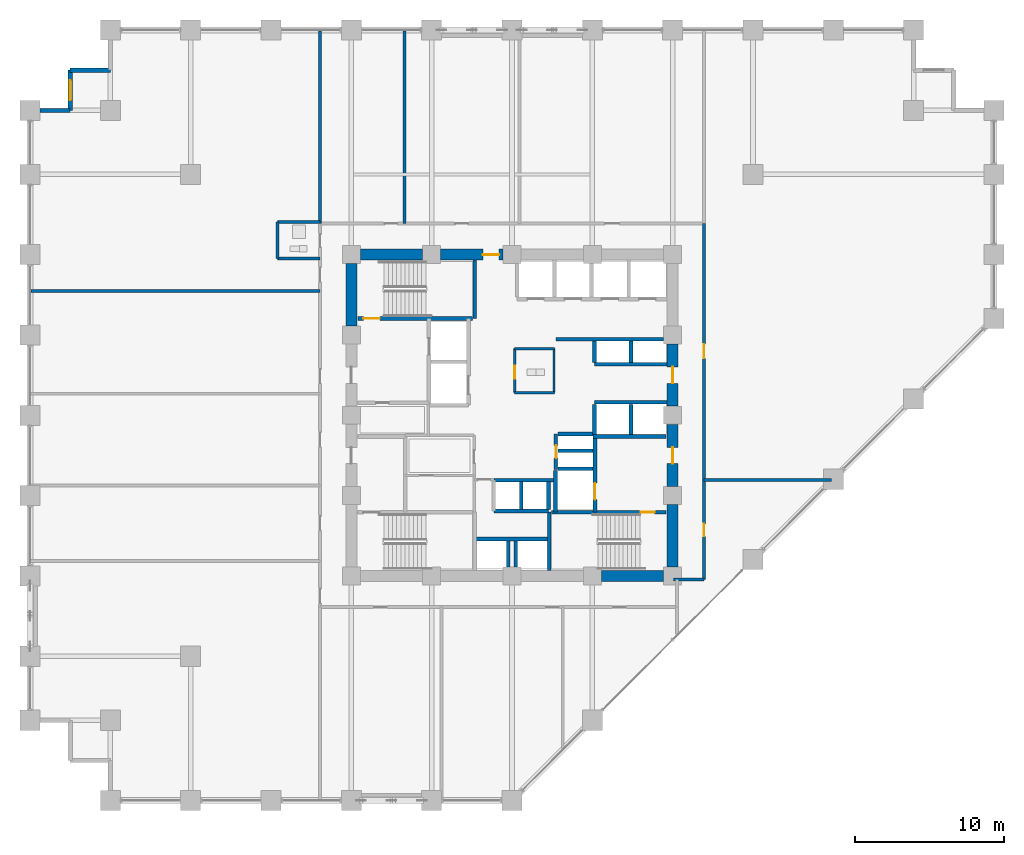
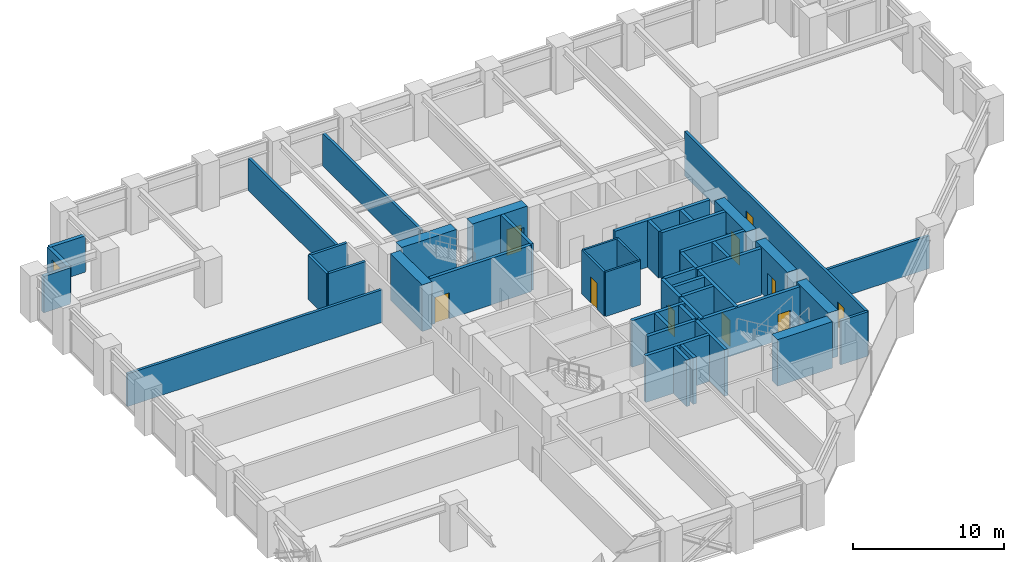
# One storey, part 21 of 24: 48 walls, 10 doors, 1 window, 11 openings.
"""IFC4 building model written with IfcOpenShell, lengths in metres."""

from ifc_helpers import new_model, si_unit, direction, frame, frame_2d, origin, place, context, subcontext, project, spatial, rectangle, extrude, material, layer, layer_set, type_object, element, fill, save


model = new_model("IFC4")

# Units and contexts
model_context = context("Model", 3, precision=1e-05, world=origin(), true_north=direction((0.0, 1.0)))
body_context = subcontext(model_context, "Body", "Model", "MODEL_VIEW")
ifc_project = project(units=[si_unit("LENGTHUNIT", "METRE"), si_unit("AREAUNIT", "SQUARE_METRE"), si_unit("VOLUMEUNIT", "CUBIC_METRE"), si_unit("PLANEANGLEUNIT", "RADIAN"), si_unit("MASSUNIT", "GRAM", prefix="KILO")], contexts=[model_context])

# Site, building, storey
site_placement = place(None, origin())
site = spatial("IfcSite", under=ifc_project, at=site_placement, CompositionType="ELEMENT")
building_placement = place(site_placement, origin())
building = spatial("IfcBuilding", under=site, at=building_placement, Name="Surkhivell Harbour Commons", CompositionType="ELEMENT")
storey_placement = place(building_placement, frame((0.0, 0.0, 26.25)))
storey = spatial("IfcBuildingStorey", under=building, at=storey_placement, Name="L06", CompositionType="ELEMENT", Elevation=26.25)

# Walls
ifc_material_1 = material(Name="Concrete C60/75", Category="concrete")
ifc_layer_1 = layer(ifc_material_1, 0.75)
ifc_layer_set_1 = layer_set([ifc_layer_1], Name="Concrete C60/75")
wall_type_1 = type_object("IfcWallType", Name="WAL-CORE-750", PredefinedType="SHEAR", material=ifc_layer_set_1)
for number, where, z_axis, x_axis, name in (
    (1, (-10.18994140625, 10.800048828125, 0.0), (0.0, 0.0, 1.0), (1.0, 0.0, 0.0), "L06 Core Shear Wall North 1"),
    (2, (10.800048828125, -10.18994140625, 0.0), (0.0, 0.0, 1.0), (0.0, 1.0, 0.0), "L06 Core Shear Wall East 1"),
):
    element("IfcWall", number, at=place(storey_placement, frame(where, z_axis=z_axis, x_axis=x_axis)), inside=storey, type_object=wall_type_1, Name=name, PredefinedType="SHEAR", context=body_context, shape_type="SweptSolid", body=[
        extrude(rectangle(XDim=4.179931640625, YDim=0.75, at=frame_2d((2.08984375, 0.0))), origin(), (0.0, 0.0, 1.0), 3.75),
    ])

# Wall, opening, door
wall_1_placement = place(storey_placement, frame((-4.7900390625, 10.800048828125, 0.0), z_axis=(0.0, 0.0, 1.0), x_axis=(1.0, 0.0, 0.0)))
wall_1 = element("IfcWall", 3, at=wall_1_placement, inside=storey, type_object=wall_type_1, Name="L06 Core Shear Wall North 2", PredefinedType="SHEAR", context=body_context, shape_type="SweptSolid", body=[
    extrude(rectangle(XDim=4.179931640625, YDim=0.75, at=frame_2d((2.08984375, 0.0))), origin(), (0.0, 0.0, 1.0), 3.75),
])
opening_1_placement = place(wall_1_placement, frame((2.830078125, 0.0, 0.0)))
opening_1 = element("IfcOpeningElement", 4, at=opening_1_placement, cuts=wall_1, Name="Opening ID-2", PredefinedType="OPENING", context=body_context, shape_type="SweptSolid", body=[
    extrude(rectangle(XDim=1.10009765625, YDim=2.10009765625, at=frame_2d((0.550048828125, 1.050048828125))), frame((0.0, 0.385009765625, 0.0), z_axis=(0.0, -1.0, 0.0), x_axis=(1.0, 0.0, 0.0)), (0.0, 0.0, 1.0), 0.77001953125),
])
ifc_material_2 = material(Name="Hardwood-veneered fire-rated door leaf", Category="wood")
door_type_1 = type_object("IfcDoorType", Name="DOR-FD60-1100", OperationType="NOTDEFINED", PredefinedType="DOOR", material=ifc_material_2)
door_1_placement = place(opening_1_placement, origin())
door_1 = element("IfcDoor", 5, at=door_1_placement, inside=storey, type_object=door_type_1, Name="L06 Central Core Lift Hall North Corridor Door", OperationType="SINGLE_SWING_LEFT", OverallHeight=2.10009765625, OverallWidth=1.10009765625, PredefinedType="DOOR", context=body_context, shape_type="SweptSolid", body=[
    extrude(rectangle(XDim=1.10009765625, YDim=2.10009765625, at=frame_2d((0.550048828125, 1.050048828125))), frame((0.0, 0.02490234375, 0.0), z_axis=(0.0, -1.0, 0.0), x_axis=(1.0, 0.0, 0.0)), (0.0, 0.0, 1.0), 0.050048828125),
])
fill(opening_1, door_1)

wall_2_placement = place(storey_placement, frame((10.800048828125, -4.7900390625, 0.0), z_axis=(0.0, 0.0, 1.0), x_axis=(0.0, 1.0, 0.0)))
wall_2 = element("IfcWall", 6, at=wall_2_placement, inside=storey, type_object=wall_type_1, Name="L06 Core Shear Wall East 2", PredefinedType="SHEAR", context=body_context, shape_type="SweptSolid", body=[
    extrude(rectangle(XDim=4.179931640625, YDim=0.75, at=frame_2d((2.08984375, 0.0))), origin(), (0.0, 0.0, 1.0), 3.75),
])
opening_2_placement = place(wall_2_placement, frame((1.5400390625, 0.0, 0.0)))
opening_2 = element("IfcOpeningElement", 7, at=opening_2_placement, cuts=wall_2, Name="Opening ID-1", PredefinedType="OPENING", context=body_context, shape_type="SweptSolid", body=[
    extrude(rectangle(XDim=1.10009765625, YDim=2.10009765625, at=frame_2d((0.550048828125, 1.050048828125))), frame((0.0, 0.385009765625, 0.0), z_axis=(0.0, -1.0, 0.0), x_axis=(1.0, 0.0, 0.0)), (0.0, 0.0, 1.0), 0.77001953125),
])
door_type_2 = type_object("IfcDoorType", Name="DOR-FD120-1100", OperationType="NOTDEFINED", PredefinedType="DOOR", material=ifc_material_2)
door_2_placement = place(opening_2_placement, origin())
door_2 = element("IfcDoor", 8, at=door_2_placement, inside=storey, type_object=door_type_2, Name="L06 Firefighting Lobby 2 Corridor Door", OperationType="SINGLE_SWING_RIGHT", OverallHeight=2.10009765625, OverallWidth=1.10009765625, PredefinedType="DOOR", context=body_context, shape_type="SweptSolid", body=[
    extrude(rectangle(XDim=1.10009765625, YDim=2.10009765625, at=frame_2d((0.550048828125, 1.050048828125))), frame((0.0, 0.02490234375, 0.0), z_axis=(0.0, -1.0, 0.0), x_axis=(1.0, 0.0, 0.0)), (0.0, 0.0, 1.0), 0.050048828125),
])
fill(opening_2, door_2)

wall_3_placement = place(storey_placement, frame((10.800048828125, 0.610107421875, 0.0), z_axis=(0.0, 0.0, 1.0), x_axis=(0.0, 1.0, 0.0)))
wall_3 = element("IfcWall", 9, at=wall_3_placement, inside=storey, type_object=wall_type_1, Name="L06 Core Shear Wall East 3", PredefinedType="SHEAR", context=body_context, shape_type="SweptSolid", body=[
    extrude(rectangle(XDim=4.179931640625, YDim=0.75, at=frame_2d((2.08984375, 0.0))), origin(), (0.0, 0.0, 1.0), 3.75),
])
opening_3_placement = place(wall_3_placement, frame((1.5400390625, 0.0, 0.0)))
opening_3 = element("IfcOpeningElement", 10, at=opening_3_placement, cuts=wall_3, Name="Opening ID-2", PredefinedType="OPENING", context=body_context, shape_type="SweptSolid", body=[
    extrude(rectangle(XDim=1.10009765625, YDim=2.10009765625, at=frame_2d((0.550048828125, 1.050048828125))), frame((0.0, 0.385009765625, 0.0), z_axis=(0.0, -1.0, 0.0), x_axis=(1.0, 0.0, 0.0)), (0.0, 0.0, 1.0), 0.77001953125),
])
door_3_placement = place(opening_3_placement, origin())
door_3 = element("IfcDoor", 11, at=door_3_placement, inside=storey, type_object=door_type_1, Name="L06 Mid-Rise Lobby East Door", OperationType="SINGLE_SWING_LEFT", OverallHeight=2.10009765625, OverallWidth=1.10009765625, PredefinedType="DOOR", context=body_context, shape_type="SweptSolid", body=[
    extrude(rectangle(XDim=1.10009765625, YDim=2.10009765625, at=frame_2d((0.550048828125, 1.050048828125))), frame((0.0, 0.02490234375, 0.0), z_axis=(0.0, -1.0, 0.0), x_axis=(1.0, 0.0, 0.0)), (0.0, 0.0, 1.0), 0.050048828125),
])
fill(opening_3, door_3)

# Walls
for number, where, z_axis, x_axis, name in (
    (12, (6.010009765625, -10.800048828125, 0.0), (0.0, 0.0, 1.0), (1.0, 0.0, 0.0), "L06 Core Shear Wall South 4"),
    (13, (-10.800048828125, 6.010009765625, 0.0), (0.0, 0.0, 1.0), (0.0, 1.0, 0.0), "L06 Core Shear Wall West 4"),
):
    element("IfcWall", number, at=place(storey_placement, frame(where, z_axis=z_axis, x_axis=x_axis)), inside=storey, type_object=wall_type_1, Name=name, PredefinedType="SHEAR", context=body_context, shape_type="SweptSolid", body=[
        extrude(rectangle(XDim=4.179931640625, YDim=0.75, at=frame_2d((2.08984375, 0.0))), origin(), (0.0, 0.0, 1.0), 3.75),
    ])
ifc_material_3 = material(Name="Terracotta-clad reinforced concrete C45/55", Category="masonry")
ifc_layer_2 = layer(ifc_material_3, 0.280029296875)
ifc_layer_set_2 = layer_set([ifc_layer_2], Name="Terracotta-clad reinforced concrete C45/55")
wall_type_2 = type_object("IfcWallType", Name="WAL-EXT-TER280", PredefinedType="STANDARD", material=ifc_layer_set_2)
wall_4_placement = place(storey_placement, frame((-27.0, 23.199951171875, 0.0), z_axis=(0.0, 0.0, 1.0), x_axis=(-1.0, 0.0, 0.0)))
element("IfcWall", 14, at=wall_4_placement, inside=storey, type_object=wall_type_2, Name="L06 Serrated Corner Facade Wall 09", PredefinedType="STANDARD", context=body_context, shape_type="SweptSolid", body=[
    extrude(rectangle(XDim=2.699951171875, YDim=0.280029296875, at=frame_2d((1.35009765625, 0.0))), origin(), (0.0, 0.0, 1.0), 2.929931640625),
])

# Wall, opening, window
wall_5_placement = place(storey_placement, frame((-29.699951171875, 23.199951171875, 0.0), z_axis=(0.0, 0.0, 1.0), x_axis=(0.0, -1.0, 0.0)))
wall_5 = element("IfcWall", 15, at=wall_5_placement, inside=storey, type_object=wall_type_2, Name="L06 Serrated Corner Facade Wall 10", PredefinedType="STANDARD", context=body_context, shape_type="SweptSolid", body=[
    extrude(rectangle(XDim=2.699951171875, YDim=0.280029296875, at=frame_2d((1.35009765625, 0.0))), origin(), (0.0, 0.0, 1.0), 2.929931640625),
])
opening_4_placement = place(wall_5_placement, frame((0.675048828125, 0.0, 0.64990234375)))
opening_4 = element("IfcOpeningElement", 16, at=opening_4_placement, cuts=wall_5, Name="Opening WN-08", PredefinedType="OPENING", context=body_context, shape_type="SweptSolid", body=[
    extrude(rectangle(XDim=1.35009765625, YDim=1.64990234375, at=frame_2d((0.675048828125, 0.824951171875))), frame((0.0, 0.14990234375, 0.0), z_axis=(0.0, -1.0, 0.0), x_axis=(1.0, 0.0, 0.0)), (0.0, 0.0, 1.0), 0.300048828125),
])
ifc_material_4 = material(Name="Thermal-break aluminium frame and double low-E glazing", Category="aluminium")
window_type = type_object("IfcWindowType", Name="WIN-SER-1350x1650", PartitioningType="SINGLE_PANEL", PredefinedType="WINDOW", material=ifc_material_4)
window_placement = place(opening_4_placement, origin())
window = element("IfcWindow", 17, at=window_placement, inside=storey, type_object=window_type, Name="L06 Serrated Alcove Window 10", OverallHeight=1.64990234375, OverallWidth=1.35009765625, PartitioningType="SINGLE_PANEL", PredefinedType="WINDOW", context=body_context, shape_type="SweptSolid", body=[
    extrude(rectangle(XDim=1.35009765625, YDim=1.64990234375, at=frame_2d((0.675048828125, 0.824951171875))), frame((0.0, 0.030029296875, 0.0), z_axis=(0.0, -1.0, 0.0), x_axis=(1.0, 0.0, 0.0)), (0.0, 0.0, 1.0), 0.06005859375),
])
fill(opening_4, window)

# Walls
wall_6_placement = place(storey_placement, frame((-29.699951171875, 20.5, 0.0), z_axis=(0.0, 0.0, 1.0), x_axis=(-1.0, 0.0, 0.0)))
element("IfcWall", 18, at=wall_6_placement, inside=storey, type_object=wall_type_2, Name="L06 Serrated Corner Facade Wall 11", PredefinedType="STANDARD", context=body_context, shape_type="SweptSolid", body=[
    extrude(rectangle(XDim=2.027099609375, YDim=0.280029296875, at=frame_2d((1.013671875, 0.0))), origin(), (0.0, 0.0, 1.0), 2.929931640625),
])
ifc_material_5 = material(Name="Twin-stud acoustic fireboard partition", Category="other")
ifc_layer_3 = layer(ifc_material_5, 0.14990234375)
ifc_layer_set_3 = layer_set([ifc_layer_3], Name="Twin-stud acoustic fireboard partition")
wall_type_3 = type_object("IfcWallType", Name="WAL-INT-150", PredefinedType="PARTITIONING", material=ifc_layer_set_3)
wall_7_placement = place(storey_placement, frame((2.820068359375, 1.52001953125, 0.0), z_axis=(0.0, 0.0, 1.0), x_axis=(0.0, 1.0, 0.0)))
element("IfcWall", 19, at=wall_7_placement, inside=storey, type_object=wall_type_3, Name="L06 Core Accessible WC East Wall", PredefinedType="PARTITIONING", context=body_context, shape_type="SweptSolid", body=[
    extrude(rectangle(XDim=2.9599609375, YDim=0.14990234375, at=frame_2d((1.47998046875, 0.0))), origin(), (0.0, 0.0, 1.0), 3.570068359375),
])
for number, where, z_axis, x_axis, name in (
    (20, (0.179931640625, 4.47998046875, 0.0), (0.0, 0.0, 1.0), (1.0, 0.0, 0.0), "L06 Core Accessible WC North Wall"),
    (21, (0.179931640625, 1.52001953125, 0.0), (0.0, 0.0, 1.0), (1.0, 0.0, 0.0), "L06 Core Accessible WC South Wall"),
):
    element("IfcWall", number, at=place(storey_placement, frame(where, z_axis=z_axis, x_axis=x_axis)), inside=storey, type_object=wall_type_3, Name=name, PredefinedType="PARTITIONING", context=body_context, shape_type="SweptSolid", body=[
        extrude(rectangle(XDim=2.670166015625, YDim=0.14990234375, at=frame_2d((1.3349609375, 0.0))), origin(), (0.0, 0.0, 1.0), 3.570068359375),
    ])

# Wall, opening, door
wall_8_placement = place(storey_placement, frame((0.179931640625, 1.52001953125, 0.0), z_axis=(0.0, 0.0, 1.0), x_axis=(0.0, 1.0, 0.0)))
wall_8 = element("IfcWall", 22, at=wall_8_placement, inside=storey, type_object=wall_type_3, Name="L06 Core Accessible WC West Wall", PredefinedType="PARTITIONING", context=body_context, shape_type="SweptSolid", body=[
    extrude(rectangle(XDim=2.9599609375, YDim=0.14990234375, at=frame_2d((1.47998046875, 0.0))), origin(), (0.0, 0.0, 1.0), 3.570068359375),
])
opening_5_placement = place(wall_8_placement, frame((0.949951171875, 0.0, 0.0)))
opening_5 = element("IfcOpeningElement", 23, at=opening_5_placement, cuts=wall_8, Name="Opening ID-6", PredefinedType="OPENING", context=body_context, shape_type="SweptSolid", body=[
    extrude(rectangle(XDim=0.85009765625, YDim=2.10009765625, at=frame_2d((0.425048828125, 1.050048828125))), frame((0.0, 0.0849609375, 0.0), z_axis=(0.0, -1.0, 0.0), x_axis=(1.0, 0.0, 0.0)), (0.0, 0.0, 1.0), 0.169921875),
])
door_type_3 = type_object("IfcDoorType", Name="DOR-FD30-850", OperationType="NOTDEFINED", PredefinedType="DOOR", material=ifc_material_2)
door_4_placement = place(opening_5_placement, origin())
door_4 = element("IfcDoor", 24, at=door_4_placement, inside=storey, type_object=door_type_3, Name="L06 Floor Accessible WC Door", OperationType="SINGLE_SWING_RIGHT", OverallHeight=2.10009765625, OverallWidth=0.85009765625, PredefinedType="DOOR", context=body_context, shape_type="SweptSolid", body=[
    extrude(rectangle(XDim=0.85009765625, YDim=2.10009765625, at=frame_2d((0.425048828125, 1.050048828125))), frame((0.0, 0.02490234375, 0.0), z_axis=(0.0, -1.0, 0.0), x_axis=(1.0, 0.0, 0.0)), (0.0, 0.0, 1.0), 0.050048828125),
])
fill(opening_5, door_4)

# Wall
ifc_material_6 = material(Name="Autoclaved aerated concrete blockwork and fire plaster", Category="masonry")
ifc_layer_4 = layer(ifc_material_6, 0.199951171875)
ifc_layer_set_4 = layer_set([ifc_layer_4], Name="Autoclaved aerated concrete blockwork and fire plaster")
wall_type_4 = type_object("IfcWallType", Name="WAL-INT-200", PredefinedType="PARTITIONING", material=ifc_layer_set_4)
wall_9_placement = place(storey_placement, frame((-12.89990234375, 12.89990234375, 0.0), z_axis=(0.0, 0.0, 1.0), x_axis=(0.0, 1.0, 0.0)))
element("IfcWall", 25, at=wall_9_placement, inside=storey, type_object=wall_type_4, Name="L06 North-West Wing Corner Divider", PredefinedType="PARTITIONING", context=body_context, shape_type="SweptSolid", body=[
    extrude(rectangle(XDim=12.940185546875, YDim=0.199951171875, at=frame_2d((6.47021484375, 0.0))), origin(), (0.0, 0.0, 1.0), 2.62890625),
])

# Wall, openings, doors
wall_10_placement = place(storey_placement, frame((12.89990234375, -11.0400390625, 0.0), z_axis=(0.0, 0.0, 1.0), x_axis=(0.0, 1.0, 0.0)))
wall_10 = element("IfcWall", 26, at=wall_10_placement, inside=storey, type_object=wall_type_4, Name="L06 Corridor East Wall", PredefinedType="PARTITIONING", context=body_context, shape_type="SweptSolid", body=[
    extrude(rectangle(XDim=23.93994140625, YDim=0.199951171875, at=frame_2d((11.969970703125, 0.0))), origin(), (0.0, 0.0, 1.0), 3.570068359375),
])
opening_6_placement = place(wall_10_placement, frame((2.89990234375, 0.0, 0.0)))
opening_6 = element("IfcOpeningElement", 27, at=opening_6_placement, cuts=wall_10, Name="Opening ID-6", PredefinedType="OPENING", context=body_context, shape_type="SweptSolid", body=[
    extrude(rectangle(XDim=0.85009765625, YDim=2.10009765625, at=frame_2d((0.425048828125, 1.050048828125))), frame((0.0, 0.10986328125, 0.0), z_axis=(0.0, -1.0, 0.0), x_axis=(1.0, 0.0, 0.0)), (0.0, 0.0, 1.0), 0.219970703125),
])
opening_7_placement = place(wall_10_placement, frame((14.8701171875, 0.0, 0.0)))
opening_7 = element("IfcOpeningElement", 28, at=opening_7_placement, cuts=wall_10, Name="Opening ID-4", PredefinedType="OPENING", context=body_context, shape_type="SweptSolid", body=[
    extrude(rectangle(XDim=0.949951171875, YDim=2.10009765625, at=frame_2d((0.47509765625, 1.050048828125))), frame((0.0, 0.10986328125, 0.0), z_axis=(0.0, -1.0, 0.0), x_axis=(1.0, 0.0, 0.0)), (0.0, 0.0, 1.0), 0.219970703125),
])
door_5_placement = place(opening_6_placement, origin())
door_5 = element("IfcDoor", 29, at=door_5_placement, inside=storey, type_object=door_type_3, Name="L06 Shared Communal Kitchen A East Door", OperationType="SINGLE_SWING_LEFT", OverallHeight=2.10009765625, OverallWidth=0.85009765625, PredefinedType="DOOR", context=body_context, shape_type="SweptSolid", body=[
    extrude(rectangle(XDim=0.85009765625, YDim=2.10009765625, at=frame_2d((0.425048828125, 1.050048828125))), frame((0.0, 0.02490234375, 0.0), z_axis=(0.0, -1.0, 0.0), x_axis=(1.0, 0.0, 0.0)), (0.0, 0.0, 1.0), 0.050048828125),
])
fill(opening_6, door_5)
door_type_4 = type_object("IfcDoorType", Name="DOR-FD60-950", OperationType="NOTDEFINED", PredefinedType="DOOR", material=ifc_material_2)
door_6_placement = place(opening_7_placement, origin())
door_6 = element("IfcDoor", 30, at=door_6_placement, inside=storey, type_object=door_type_4, Name="L06 Shared Communal Kitchen B East Door", OperationType="SINGLE_SWING_RIGHT", OverallHeight=2.10009765625, OverallWidth=0.949951171875, PredefinedType="DOOR", context=body_context, shape_type="SweptSolid", body=[
    extrude(rectangle(XDim=0.949951171875, YDim=2.10009765625, at=frame_2d((0.47509765625, 1.050048828125))), frame((0.0, 0.02490234375, 0.0), z_axis=(0.0, -1.0, 0.0), x_axis=(1.0, 0.0, 0.0)), (0.0, 0.0, 1.0), 0.050048828125),
])
fill(opening_7, door_6)

# Walls
wall_11_placement = place(storey_placement, frame((10.85009765625, -11.0400390625, 0.0), z_axis=(0.0, 0.0, 1.0), x_axis=(1.0, 0.0, 0.0)))
element("IfcWall", 31, at=wall_11_placement, inside=storey, type_object=wall_type_4, Name="L06 Corridor East South Closure Wall", PredefinedType="PARTITIONING", context=body_context, shape_type="SweptSolid", body=[
    extrude(rectangle(XDim=2.0498046875, YDim=0.199951171875, at=frame_2d((1.02490234375, 0.0))), origin(), (0.0, 0.0, 1.0), 3.570068359375),
])
wall_12_placement = place(storey_placement, frame((12.89990234375, -4.340087890625, 0.0), z_axis=(0.0, 0.0, 1.0), x_axis=(1.0, 0.0, 0.0)))
element("IfcWall", 32, at=wall_12_placement, inside=storey, type_object=wall_type_4, Name="L06 East Partition P1", PredefinedType="PARTITIONING", context=body_context, shape_type="SweptSolid", body=[
    extrude(rectangle(XDim=8.5751953125, YDim=0.199951171875, at=frame_2d((4.28759765625, 0.0))), origin(), (0.0, 0.0, 1.0), 2.62890625),
])
wall_13_placement = place(storey_placement, frame((-7.219970703125, 12.89990234375, 0.0), z_axis=(0.0, 0.0, 1.0), x_axis=(0.0, 1.0, 0.0)))
element("IfcWall", 33, at=wall_13_placement, inside=storey, type_object=wall_type_4, Name="L06 North Partition P1", PredefinedType="PARTITIONING", context=body_context, shape_type="SweptSolid", body=[
    extrude(rectangle(XDim=12.940185546875, YDim=0.199951171875, at=frame_2d((6.47021484375, 0.0))), origin(), (0.0, 0.0, 1.0), 2.62890625),
])
wall_14_placement = place(storey_placement, frame((-15.75, 10.550048828125, 0.0), z_axis=(0.0, 0.0, 1.0), x_axis=(0.0, 1.0, 0.0)))
element("IfcWall", 34, at=wall_14_placement, inside=storey, type_object=wall_type_4, Name="L06 West Partition BTHB", PredefinedType="PARTITIONING", context=body_context, shape_type="SweptSolid", body=[
    extrude(rectangle(XDim=2.449951171875, YDim=0.199951171875, at=frame_2d((1.22509765625, 0.0))), origin(), (0.0, 0.0, 1.0), 3.570068359375),
])
for number, where, z_axis, x_axis, name in (
    (35, (-15.75, 13.0, 0.0), (0.0, 0.0, 1.0), (1.0, 0.0, 0.0), "L06 West Partition BTHN"),
    (36, (-15.75, 10.550048828125, 0.0), (0.0, 0.0, 1.0), (1.0, 0.0, 0.0), "L06 West Partition BTHS"),
):
    element("IfcWall", number, at=place(storey_placement, frame(where, z_axis=z_axis, x_axis=x_axis)), inside=storey, type_object=wall_type_4, Name=name, PredefinedType="PARTITIONING", context=body_context, shape_type="SweptSolid", body=[
        extrude(rectangle(XDim=2.85009765625, YDim=0.199951171875, at=frame_2d((1.425048828125, 0.0))), origin(), (0.0, 0.0, 1.0), 3.570068359375),
    ])
wall_15_placement = place(storey_placement, frame((-32.340087890625, 8.35009765625, 0.0), z_axis=(0.0, 0.0, 1.0), x_axis=(1.0, 0.0, 0.0)))
element("IfcWall", 37, at=wall_15_placement, inside=storey, type_object=wall_type_4, Name="L06 West Partition PTOP", PredefinedType="PARTITIONING", context=body_context, shape_type="SweptSolid", body=[
    extrude(rectangle(XDim=19.440185546875, YDim=0.199951171875, at=frame_2d((9.72021484375, 0.0))), origin(), (0.0, 0.0, 1.0), 2.62890625),
])
ifc_material_7 = material(Name="Concrete C50/60", Category="concrete")
ifc_layer_5 = layer(ifc_material_7, 0.25)
ifc_layer_set_5 = layer_set([ifc_layer_5], Name="Concrete C50/60")
wall_type_5 = type_object("IfcWallType", Name="WAL-SHAFT-250", PredefinedType="SHEAR", material=ifc_layer_set_5)
wall_16_placement = place(storey_placement, frame((2.929931640625, -6.510009765625, 0.0), z_axis=(0.0, 0.0, 1.0), x_axis=(0.0, 1.0, 0.0)))
element("IfcWall", 38, at=wall_16_placement, inside=storey, type_object=wall_type_5, Name="L06 FFL2 West Shaft Wall", PredefinedType="SHEAR", context=body_context, shape_type="SweptSolid", body=[
    extrude(rectangle(XDim=2.7900390625, YDim=0.25, at=frame_2d((1.39501953125, 0.0))), origin(), (0.0, 0.0, 1.0), 3.75),
])
wall_17_placement = place(storey_placement, frame((5.43994140625, -1.419921875, 0.0), z_axis=(0.0, 0.0, 1.0), x_axis=(1.0, 0.0, 0.0)))
element("IfcWall", 39, at=wall_17_placement, inside=storey, type_object=wall_type_5, Name="L06 Firefighting Lobby 2 North Wall", PredefinedType="SHEAR", context=body_context, shape_type="SweptSolid", body=[
    extrude(rectangle(XDim=4.900146484375, YDim=0.25, at=frame_2d((2.4501953125, 0.0))), origin(), (0.0, 0.0, 1.0), 3.75),
])
wall_18_placement = place(storey_placement, frame((3.080078125, -3.60009765625, 0.0), z_axis=(0.0, 0.0, 1.0), x_axis=(1.0, 0.0, 0.0)))
element("IfcWall", 40, at=wall_18_placement, inside=storey, type_object=wall_type_5, Name="L06 FFL2 North Shaft Wall", PredefinedType="SHEAR", context=body_context, shape_type="SweptSolid", body=[
    extrude(rectangle(XDim=2.369873046875, YDim=0.25, at=frame_2d((1.18505859375, 0.0))), origin(), (0.0, 0.0, 1.0), 3.75),
])

# Wall, opening, door
wall_19_placement = place(storey_placement, frame((5.580078125, -6.510009765625, 0.0), z_axis=(0.0, 0.0, 1.0), x_axis=(0.0, 1.0, 0.0)))
wall_19 = element("IfcWall", 41, at=wall_19_placement, inside=storey, type_object=wall_type_5, Name="L06 Firefighting Lobby 2 West Shaft Wall", PredefinedType="SHEAR", context=body_context, shape_type="SweptSolid", body=[
    extrude(rectangle(XDim=5.090087890625, YDim=0.25, at=frame_2d((2.544921875, 0.0))), origin(), (0.0, 0.0, 1.0), 3.75),
])
opening_8_placement = place(wall_19_placement, frame((0.85009765625, 0.0, 0.0)))
opening_8 = element("IfcOpeningElement", 42, at=opening_8_placement, cuts=wall_19, Name="Opening LD-1", PredefinedType="OPENING", context=body_context, shape_type="SweptSolid", body=[
    extrude(rectangle(XDim=1.10009765625, YDim=2.10009765625, at=frame_2d((0.550048828125, 1.050048828125))), frame((0.0, 0.135009765625, 0.0), z_axis=(0.0, -1.0, 0.0), x_axis=(1.0, 0.0, 0.0)), (0.0, 0.0, 1.0), 0.27001953125),
])
ifc_material_8 = material(Name="Brushed stainless steel S355", Category="steel")
door_type_5 = type_object("IfcDoorType", Name="DOR-LD-1100", OperationType="SLIDING_TO_LEFT", PredefinedType="DOOR", material=ifc_material_8)
door_7_placement = place(opening_8_placement, origin())
door_7 = element("IfcDoor", 43, at=door_7_placement, inside=storey, type_object=door_type_5, Name="L06 Lift Landing Door LD-FFL2", OperationType="SLIDING_TO_RIGHT", OverallHeight=2.10009765625, OverallWidth=1.10009765625, PredefinedType="DOOR", context=body_context, shape_type="SweptSolid", body=[
    extrude(rectangle(XDim=1.10009765625, YDim=2.10009765625, at=frame_2d((0.550048828125, 1.050048828125))), frame((0.0, 0.02490234375, 0.0), z_axis=(0.0, -1.0, 0.0), x_axis=(1.0, 0.0, 0.0)), (0.0, 0.0, 1.0), 0.050048828125),
])
fill(opening_8, door_7)

# Walls
for number, where, z_axis, x_axis, name in (
    (44, (0.6201171875, -6.340087890625, 0.0), (0.0, 0.0, 1.0), (0.0, 1.0, 0.0), "L06 High-Rise Side Wall N"),
    (45, (2.449951171875, -6.340087890625, 0.0), (0.0, 0.0, 1.0), (0.0, 1.0, 0.0), "L06 High-Rise Side Wall N"),
):
    element("IfcWall", number, at=place(storey_placement, frame(where, z_axis=z_axis, x_axis=x_axis)), inside=storey, type_object=wall_type_5, Name=name, PredefinedType="SHEAR", context=body_context, shape_type="SweptSolid", body=[
        extrude(rectangle(XDim=1.880126953125, YDim=0.25, at=frame_2d((0.93994140625, 0.0))), origin(), (0.0, 0.0, 1.0), 3.75),
    ])
for number, where, z_axis, x_axis, name in (
    (46, (-0.25, -10.199951171875, 0.0), (0.0, 0.0, 1.0), (0.0, 1.0, 0.0), "L06 High-Rise Side Wall S"),
    (47, (0.25, -10.199951171875, 0.0), (0.0, 0.0, 1.0), (0.0, 1.0, 0.0), "L06 High-Rise Side Wall S"),
):
    element("IfcWall", number, at=place(storey_placement, frame(where, z_axis=z_axis, x_axis=x_axis)), inside=storey, type_object=wall_type_5, Name=name, PredefinedType="SHEAR", context=body_context, shape_type="SweptSolid", body=[
        extrude(rectangle(XDim=1.760009765625, YDim=0.25, at=frame_2d((0.8798828125, 0.0))), origin(), (0.0, 0.0, 1.0), 3.75),
    ])
wall_20_placement = place(storey_placement, frame((-1.219970703125, -6.43994140625, 0.0), z_axis=(0.0, 0.0, 1.0), x_axis=(1.0, 0.0, 0.0)))
element("IfcWall", 48, at=wall_20_placement, inside=storey, type_object=wall_type_5, Name="L06 High-Rise North Front Shaft Wall", PredefinedType="SHEAR", context=body_context, shape_type="SweptSolid", body=[
    extrude(rectangle(XDim=3.669921875, YDim=0.25, at=frame_2d((1.8349609375, 0.0))), origin(), (0.0, 0.0, 1.0), 3.75),
])
wall_21_placement = place(storey_placement, frame((-2.47998046875, -8.320068359375, 0.0), z_axis=(0.0, 0.0, 1.0), x_axis=(1.0, 0.0, 0.0)))
element("IfcWall", 49, at=wall_21_placement, inside=storey, type_object=wall_type_5, Name="L06 High-Rise South Front Shaft Wall", PredefinedType="SHEAR", context=body_context, shape_type="SweptSolid", body=[
    extrude(rectangle(XDim=4.929931640625, YDim=0.25, at=frame_2d((2.46484375, 0.0))), origin(), (0.0, 0.0, 1.0), 3.75),
])
wall_22_placement = place(storey_placement, frame((-1.219970703125, -4.360107421875, 0.0), z_axis=(0.0, 0.0, 1.0), x_axis=(1.0, 0.0, 0.0)))
element("IfcWall", 50, at=wall_22_placement, inside=storey, type_object=wall_type_5, Name="L06 High-Rise North Back Shaft Wall", PredefinedType="SHEAR", context=body_context, shape_type="SweptSolid", body=[
    extrude(rectangle(XDim=4.030029296875, YDim=0.25, at=frame_2d((2.01513671875, 0.0))), origin(), (0.0, 0.0, 1.0), 3.75),
])
wall_23_placement = place(storey_placement, frame((2.949951171875, 5.1201171875, 0.0), z_axis=(0.0, 0.0, 1.0), x_axis=(1.0, 0.0, 0.0)))
element("IfcWall", 51, at=wall_23_placement, inside=storey, type_object=wall_type_5, Name="L06 Low-Rise Lobby South Wall", PredefinedType="SHEAR", context=body_context, shape_type="SweptSolid", body=[
    extrude(rectangle(XDim=7.25, YDim=0.25, at=frame_2d((3.625, 0.0))), origin(), (0.0, 0.0, 1.0), 3.75),
])
for number, where, z_axis, x_axis, name in (
    (52, (5.550048828125, 3.550048828125, 0.0), (0.0, 0.0, 1.0), (0.0, 1.0, 0.0), "L06 Mid-Rise Shaft Side Wall N"),
    (53, (8.0, 3.550048828125, 0.0), (0.0, 0.0, 1.0), (0.0, 1.0, 0.0), "L06 Mid-Rise Shaft Side Wall N"),
):
    element("IfcWall", number, at=place(storey_placement, frame(where, z_axis=z_axis, x_axis=x_axis)), inside=storey, type_object=wall_type_5, Name=name, PredefinedType="SHEAR", context=body_context, shape_type="SweptSolid", body=[
        extrude(rectangle(XDim=1.449951171875, YDim=0.25, at=frame_2d((0.72509765625, 0.0))), origin(), (0.0, 0.0, 1.0), 3.75),
    ])
for number, where, z_axis, x_axis, name in (
    (54, (5.550048828125, -1.300048828125, 0.0), (0.0, 0.0, 1.0), (0.0, 1.0, 0.0), "L06 Mid-Rise Shaft Side Wall S"),
    (55, (8.0, -1.300048828125, 0.0), (0.0, 0.0, 1.0), (0.0, 1.0, 0.0), "L06 Mid-Rise Shaft Side Wall S"),
):
    element("IfcWall", number, at=place(storey_placement, frame(where, z_axis=z_axis, x_axis=x_axis)), inside=storey, type_object=wall_type_5, Name=name, PredefinedType="SHEAR", context=body_context, shape_type="SweptSolid", body=[
        extrude(rectangle(XDim=2.0400390625, YDim=0.25, at=frame_2d((1.02001953125, 0.0))), origin(), (0.0, 0.0, 1.0), 3.75),
    ])
for number, where, z_axis, x_axis, name in (
    (56, (5.550048828125, 3.429931640625, 0.0), (0.0, 0.0, 1.0), (1.0, 0.0, 0.0), "L06 Mid-Rise North Front Shaft Wall"),
    (57, (5.550048828125, 0.8701171875, 0.0), (0.0, 0.0, 1.0), (1.0, 0.0, 0.0), "L06 Mid-Rise South Front Shaft Wall"),
):
    element("IfcWall", number, at=place(storey_placement, frame(where, z_axis=z_axis, x_axis=x_axis)), inside=storey, type_object=wall_type_5, Name=name, PredefinedType="SHEAR", context=body_context, shape_type="SweptSolid", body=[
        extrude(rectangle(XDim=4.875, YDim=0.25, at=frame_2d((2.4375, 0.0))), origin(), (0.0, 0.0, 1.0), 3.75),
    ])
for number, where, z_axis, x_axis, name in (
    (58, (3.080078125, -2.3798828125, 0.0), (0.0, 0.0, 1.0), (1.0, 0.0, 0.0), "L06 Riser Divider Wall"),
    (59, (3.080078125, -1.25, 0.0), (0.0, 0.0, 1.0), (1.0, 0.0, 0.0), "L06 Riser North Wall"),
):
    element("IfcWall", number, at=place(storey_placement, frame(where, z_axis=z_axis, x_axis=x_axis)), inside=storey, type_object=wall_type_5, Name=name, PredefinedType="SHEAR", context=body_context, shape_type="SweptSolid", body=[
        extrude(rectangle(XDim=2.369873046875, YDim=0.25, at=frame_2d((1.18505859375, 0.0))), origin(), (0.0, 0.0, 1.0), 3.75),
    ])

# Wall, opening, door
wall_24_placement = place(storey_placement, frame((2.949951171875, -3.64990234375, 0.0), z_axis=(0.0, 0.0, 1.0), x_axis=(0.0, 1.0, 0.0)))
wall_24 = element("IfcWall", 60, at=wall_24_placement, inside=storey, type_object=wall_type_5, Name="L06 Riser Shaft West Wall", PredefinedType="SHEAR", context=body_context, shape_type="SweptSolid", body=[
    extrude(rectangle(XDim=2.39990234375, YDim=0.25, at=frame_2d((1.199951171875, 0.0))), origin(), (0.0, 0.0, 1.0), 3.75),
])
opening_9_placement = place(wall_24_placement, frame((0.77490234375, 0.0, 0.0)))
opening_9 = element("IfcOpeningElement", 61, at=opening_9_placement, cuts=wall_24, Name="Opening ID-6", PredefinedType="OPENING", context=body_context, shape_type="SweptSolid", body=[
    extrude(rectangle(XDim=0.85009765625, YDim=2.10009765625, at=frame_2d((0.425048828125, 1.050048828125))), frame((0.0, 0.135009765625, 0.0), z_axis=(0.0, -1.0, 0.0), x_axis=(1.0, 0.0, 0.0)), (0.0, 0.0, 1.0), 0.27001953125),
])
door_8_placement = place(opening_9_placement, origin())
door_8 = element("IfcDoor", 62, at=door_8_placement, inside=storey, type_object=door_type_3, Name="L06 Electrical Riser Access Door", OperationType="SINGLE_SWING_LEFT", OverallHeight=2.10009765625, OverallWidth=0.85009765625, PredefinedType="DOOR", context=body_context, shape_type="SweptSolid", body=[
    extrude(rectangle(XDim=0.85009765625, YDim=2.10009765625, at=frame_2d((0.425048828125, 1.050048828125))), frame((0.0, 0.02490234375, 0.0), z_axis=(0.0, -1.0, 0.0), x_axis=(1.0, 0.0, 0.0)), (0.0, 0.0, 1.0), 0.050048828125),
])
fill(opening_9, door_8)

# Wall
wall_25_placement = place(storey_placement, frame((-2.510009765625, 6.510009765625, 0.0), z_axis=(0.0, 0.0, 1.0), x_axis=(0.0, 1.0, 0.0)))
element("IfcWall", 63, at=wall_25_placement, inside=storey, type_object=wall_type_5, Name="L06 Stair ST1 East Shear Wall", PredefinedType="SHEAR", context=body_context, shape_type="SweptSolid", body=[
    extrude(rectangle(XDim=3.9150390625, YDim=0.25, at=frame_2d((1.95751953125, 0.0))), origin(), (0.0, 0.0, 1.0), 3.75),
])

# Wall, opening, door
wall_26_placement = place(storey_placement, frame((-10.340087890625, 6.510009765625, 0.0), z_axis=(0.0, 0.0, 1.0), x_axis=(1.0, 0.0, 0.0)))
wall_26 = element("IfcWall", 64, at=wall_26_placement, inside=storey, type_object=wall_type_5, Name="L06 Stair ST1 South Shear Wall", PredefinedType="SHEAR", context=body_context, shape_type="SweptSolid", body=[
    extrude(rectangle(XDim=7.7001953125, YDim=0.25, at=frame_2d((3.85009765625, 0.0))), origin(), (0.0, 0.0, 1.0), 3.75),
])
opening_10_placement = place(wall_26_placement, frame((0.35009765625, 0.0, 0.0)))
opening_10 = element("IfcOpeningElement", 65, at=opening_10_placement, cuts=wall_26, Name="Opening ID-2", PredefinedType="OPENING", context=body_context, shape_type="SweptSolid", body=[
    extrude(rectangle(XDim=1.10009765625, YDim=2.10009765625, at=frame_2d((0.550048828125, 1.050048828125))), frame((0.0, 0.135009765625, 0.0), z_axis=(0.0, -1.0, 0.0), x_axis=(1.0, 0.0, 0.0)), (0.0, 0.0, 1.0), 0.27001953125),
])
door_9_placement = place(opening_10_placement, origin())
door_9 = element("IfcDoor", 66, at=door_9_placement, inside=storey, type_object=door_type_1, Name="L06 Stair ST1 Exit Door", OperationType="SINGLE_SWING_LEFT", OverallHeight=2.10009765625, OverallWidth=1.10009765625, PredefinedType="DOOR", context=body_context, shape_type="SweptSolid", body=[
    extrude(rectangle(XDim=1.10009765625, YDim=2.10009765625, at=frame_2d((0.550048828125, 1.050048828125))), frame((0.0, 0.02490234375, 0.0), z_axis=(0.0, -1.0, 0.0), x_axis=(1.0, 0.0, 0.0)), (0.0, 0.0, 1.0), 0.050048828125),
])
fill(opening_10, door_9)

wall_27_placement = place(storey_placement, frame((2.639892578125, -6.510009765625, 0.0), z_axis=(0.0, 0.0, 1.0), x_axis=(1.0, 0.0, 0.0)))
wall_27 = element("IfcWall", 67, at=wall_27_placement, inside=storey, type_object=wall_type_5, Name="L06 Stair ST2 North Shear Wall", PredefinedType="SHEAR", context=body_context, shape_type="SweptSolid", body=[
    extrude(rectangle(XDim=7.7001953125, YDim=0.25, at=frame_2d((3.85009765625, 0.0))), origin(), (0.0, 0.0, 1.0), 3.75),
])
opening_11_placement = place(wall_27_placement, frame((6.0, 0.0, 0.0)))
opening_11 = element("IfcOpeningElement", 68, at=opening_11_placement, cuts=wall_27, Name="Opening ID-4", PredefinedType="OPENING", context=body_context, shape_type="SweptSolid", body=[
    extrude(rectangle(XDim=0.949951171875, YDim=2.10009765625, at=frame_2d((0.47509765625, 1.050048828125))), frame((0.0, 0.135009765625, 0.0), z_axis=(0.0, -1.0, 0.0), x_axis=(1.0, 0.0, 0.0)), (0.0, 0.0, 1.0), 0.27001953125),
])
door_10_placement = place(opening_11_placement, origin())
door_10 = element("IfcDoor", 69, at=door_10_placement, inside=storey, type_object=door_type_4, Name="L06 Stair ST2 Exit Door", OperationType="SINGLE_SWING_RIGHT", OverallHeight=2.10009765625, OverallWidth=0.949951171875, PredefinedType="DOOR", context=body_context, shape_type="SweptSolid", body=[
    extrude(rectangle(XDim=0.949951171875, YDim=2.10009765625, at=frame_2d((0.47509765625, 1.050048828125))), frame((0.0, 0.02490234375, 0.0), z_axis=(0.0, -1.0, 0.0), x_axis=(1.0, 0.0, 0.0)), (0.0, 0.0, 1.0), 0.050048828125),
])
fill(opening_11, door_10)

# Wall
wall_28_placement = place(storey_placement, frame((2.510009765625, -10.425048828125, 0.0), z_axis=(0.0, 0.0, 1.0), x_axis=(0.0, 1.0, 0.0)))
element("IfcWall", 70, at=wall_28_placement, inside=storey, type_object=wall_type_5, Name="L06 Stair ST2 West Shear Wall", PredefinedType="SHEAR", context=body_context, shape_type="SweptSolid", body=[
    extrude(rectangle(XDim=3.9150390625, YDim=0.25, at=frame_2d((1.95751953125, 0.0))), origin(), (0.0, 0.0, 1.0), 3.75),
])

save(model, "model.ifc")
